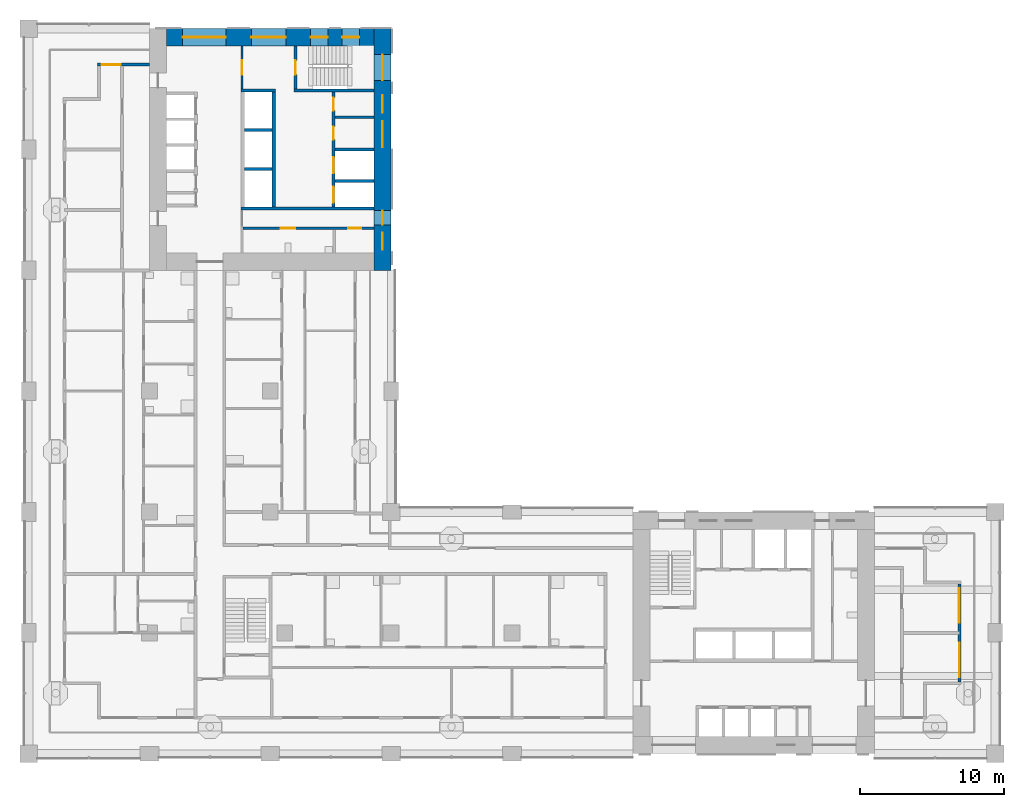
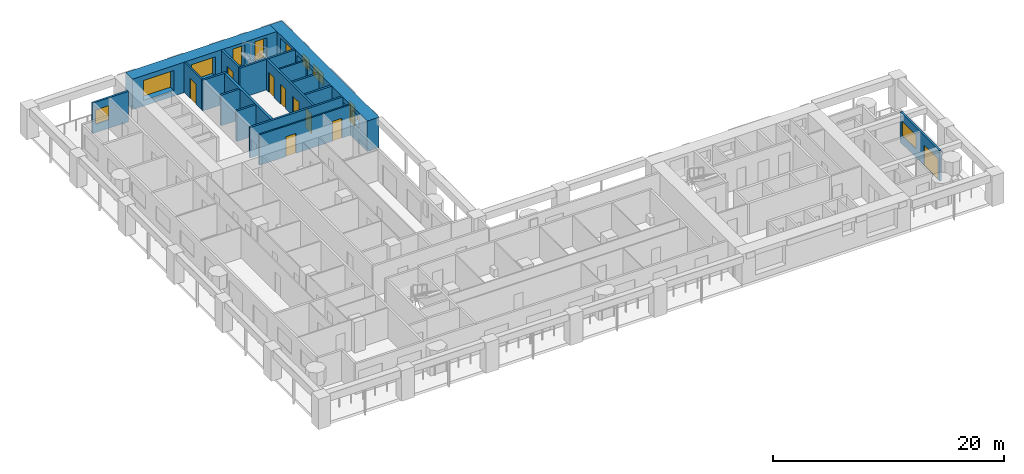
# One storey, part 7 of 18: 17 walls, 11 windows, 9 doors, 20 openings.
"""IFC4 building model written with IfcOpenShell, lengths in metres."""

from ifc_helpers import new_model, si_unit, direction, frame, frame_2d, origin, place, context, subcontext, project, spatial, rectangle, extrude, material, layer, layer_set, type_object, element, fill, save


model = new_model("IFC4")

# Units and contexts
model_context = context("Model", 3, precision=1e-05, world=origin(), true_north=direction((0.0, 1.0)))
body_context = subcontext(model_context, "Body", "Model", "MODEL_VIEW")
ifc_project = project(units=[si_unit("LENGTHUNIT", "METRE"), si_unit("AREAUNIT", "SQUARE_METRE"), si_unit("VOLUMEUNIT", "CUBIC_METRE"), si_unit("PLANEANGLEUNIT", "RADIAN"), si_unit("MASSUNIT", "GRAM", prefix="KILO")], contexts=[model_context])

# Site, building, storey
site_placement = place(None, origin())
site = spatial("IfcSite", under=ifc_project, at=site_placement, CompositionType="ELEMENT")
building_placement = place(site_placement, origin())
building = spatial("IfcBuilding", under=site, at=building_placement, Name="Vermilion Gate Residences", CompositionType="ELEMENT")
storey_placement = place(building_placement, frame((0.0, 0.0, 133.699951171875)))
storey = spatial("IfcBuildingStorey", under=building, at=storey_placement, Name="L34", CompositionType="ELEMENT", Elevation=133.699951171875)

# Wall
ifc_material_1 = material(Name="Masonry blockwork", Category="masonry")
ifc_layer_1 = layer(ifc_material_1, 0.14990234375)
ifc_layer_set_1 = layer_set([ifc_layer_1], Name="BLOCKWORK PARTITION 150 EI 120")
wall_type_1 = type_object("IfcWallType", Name="BLOCKWORK PARTITION 150 EI 120", PredefinedType="PARTITIONING", material=ifc_layer_set_1)
wall_1_placement = place(storey_placement, frame((21.300048828125, 52.637451171875, 0.0), z_axis=(0.0, 0.0, 1.0), x_axis=(1.0, 0.0, 0.0)))
element("IfcWall", 1, at=wall_1_placement, inside=storey, type_object=wall_type_1, Name="Core room partition B34-NR-P0", PredefinedType="PARTITIONING", context=body_context, shape_type="SweptSolid", body=[
    extrude(rectangle(XDim=2.699951171875, YDim=0.14990234375, at=frame_2d((1.35009765625, 0.0))), origin(), (0.0, 0.0, 1.0), 3.219970703125),
])

# Wall, opening, door
wall_2_placement = place(storey_placement, frame((14.824951171875, 57.60009765625, 0.0), z_axis=(0.0, 0.0, 1.0), x_axis=(0.0, -1.0, 0.0)))
wall_2 = element("IfcWall", 2, at=wall_2_placement, inside=storey, type_object=wall_type_1, Name="Core room partition B34-VW-S", PredefinedType="PARTITIONING", context=body_context, shape_type="SweptSolid", body=[
    extrude(rectangle(XDim=3.0, YDim=0.14990234375, at=frame_2d((1.5, 0.0))), origin(), (0.0, 0.0, 1.0), 3.219970703125),
])
opening_1_placement = place(wall_2_placement, frame((1.0, 0.0, 0.0)))
opening_1 = element("IfcOpeningElement", 3, at=opening_1_placement, cuts=wall_2, Name="Opening DK34113", PredefinedType="OPENING", context=body_context, shape_type="SweptSolid", body=[
    extrude(rectangle(XDim=1.0, YDim=2.10009765625, at=frame_2d((0.5, 1.050048828125))), frame((0.0, 0.0849609375, 0.0), z_axis=(0.0, -1.0, 0.0), x_axis=(1.0, 0.0, 0.0)), (0.0, 0.0, 1.0), 0.169921875),
])
ifc_material_2 = material(Name="Steel", Category="steel")
door_type_1 = type_object("IfcDoorType", Name="FIRE DOOR FD60 1000 X 2100", OperationType="SINGLE_SWING_LEFT", PredefinedType="DOOR", material=ifc_material_2)
door_1_placement = place(opening_1_placement, frame((1.0, 0.0, 0.0), z_axis=(0.0, 0.0, 1.0), x_axis=(-1.0, 0.0, 0.0)))
door_1 = element("IfcDoor", 4, at=door_1_placement, inside=storey, type_object=door_type_1, Name="Stair vestibule door B34", OperationType="SINGLE_SWING_RIGHT", OverallHeight=2.10009765625, OverallWidth=1.0, PredefinedType="DOOR", context=body_context, shape_type="SweptSolid", body=[
    extrude(rectangle(XDim=1.0, YDim=2.10009765625, at=frame_2d((0.5, 1.050048828125))), frame((0.0, 0.02490234375, 0.0), z_axis=(0.0, -1.0, 0.0), x_axis=(1.0, 0.0, 0.0)), (0.0, 0.0, 1.0), 0.050048828125),
])
fill(opening_1, door_1)

# Wall, openings, doors
wall_3_placement = place(storey_placement, frame((14.89990234375, 44.925048828125, 0.0), z_axis=(0.0, 0.0, 1.0), x_axis=(1.0, 0.0, 0.0)))
wall_3 = element("IfcWall", 5, at=wall_3_placement, inside=storey, type_object=wall_type_1, Name="Core room partition B34-ES-W", PredefinedType="PARTITIONING", context=body_context, shape_type="SweptSolid", body=[
    extrude(rectangle(XDim=9.10009765625, YDim=0.14990234375, at=frame_2d((4.550048828125, 0.0))), origin(), (0.0, 0.0, 1.0), 3.219970703125),
])
opening_2_placement = place(wall_3_placement, frame((2.632568359375, 0.0, 0.0)))
opening_2 = element("IfcOpeningElement", 6, at=opening_2_placement, cuts=wall_3, Name="Opening DK34116", PredefinedType="OPENING", context=body_context, shape_type="SweptSolid", body=[
    extrude(rectangle(XDim=1.0, YDim=2.10009765625, at=frame_2d((0.5, 1.050048828125))), frame((0.0, 0.0849609375, 0.0), z_axis=(0.0, -1.0, 0.0), x_axis=(1.0, 0.0, 0.0)), (0.0, 0.0, 1.0), 0.169921875),
])
opening_3_placement = place(wall_3_placement, frame((7.3076171875, 0.0, 0.0)))
opening_3 = element("IfcOpeningElement", 7, at=opening_3_placement, cuts=wall_3, Name="Opening DK34117", PredefinedType="OPENING", context=body_context, shape_type="SweptSolid", body=[
    extrude(rectangle(XDim=0.89990234375, YDim=2.10009765625, at=frame_2d((0.449951171875, 1.050048828125))), frame((0.0, 0.0849609375, 0.0), z_axis=(0.0, -1.0, 0.0), x_axis=(1.0, 0.0, 0.0)), (0.0, 0.0, 1.0), 0.169921875),
])
door_2_placement = place(opening_2_placement, frame((1.0, 0.0, 0.0), z_axis=(0.0, 0.0, 1.0), x_axis=(-1.0, 0.0, 0.0)))
door_2 = element("IfcDoor", 8, at=door_2_placement, inside=storey, type_object=door_type_1, Name="Accessible WC B34", OperationType="SINGLE_SWING_RIGHT", OverallHeight=2.10009765625, OverallWidth=1.0, PredefinedType="DOOR", context=body_context, shape_type="SweptSolid", body=[
    extrude(rectangle(XDim=1.0, YDim=2.10009765625, at=frame_2d((0.5, 1.050048828125))), frame((0.0, 0.02490234375, 0.0), z_axis=(0.0, -1.0, 0.0), x_axis=(1.0, 0.0, 0.0)), (0.0, 0.0, 1.0), 0.050048828125),
])
fill(opening_2, door_2)
ifc_material_3 = material(Name="Steel", Category="steel")
door_type_2 = type_object("IfcDoorType", Name="SERVICE ROOM DOOR FD60 900 X 2100", OperationType="SINGLE_SWING_LEFT", PredefinedType="DOOR", material=ifc_material_3)
door_3_placement = place(opening_3_placement, frame((0.89990234375, 0.0, 0.0), z_axis=(0.0, 0.0, 1.0), x_axis=(-1.0, 0.0, 0.0)))
door_3 = element("IfcDoor", 9, at=door_3_placement, inside=storey, type_object=door_type_2, Name="Communications room B34", OperationType="SINGLE_SWING_LEFT", OverallHeight=2.10009765625, OverallWidth=0.89990234375, PredefinedType="DOOR", context=body_context, shape_type="SweptSolid", body=[
    extrude(rectangle(XDim=0.89990234375, YDim=2.10009765625, at=frame_2d((0.449951171875, 1.050048828125))), frame((0.0, 0.02490234375, 0.0), z_axis=(0.0, -1.0, 0.0), x_axis=(1.0, 0.0, 0.0)), (0.0, 0.0, 1.0), 0.050048828125),
])
fill(opening_3, door_3)

# Wall, opening, window
ifc_material_4 = material(Name="Insulated steel stud wall with terracotta rainscreen", Category="masonry")
ifc_layer_2 = layer(ifc_material_4, 0.199951171875)
ifc_layer_set_2 = layer_set([ifc_layer_2], Name="EXTERNAL WALL 200 TERRACOTTA RAINSCREEN")
wall_type_2 = type_object("IfcWallType", Name="EXTERNAL WALL 200 TERRACOTTA RAINSCREEN", PredefinedType="SOLIDWALL", material=ifc_layer_set_2)
wall_4_placement = place(storey_placement, frame((8.39990234375, 56.300048828125, 0.0), z_axis=(0.0, 0.0, 1.0), x_axis=(-1.0, 0.0, 0.0)))
wall_4 = element("IfcWall", 10, at=wall_4_placement, inside=storey, type_object=wall_type_2, Name="External wall", PredefinedType="SOLIDWALL", context=body_context, shape_type="SweptSolid", body=[
    extrude(rectangle(XDim=3.599853515625, YDim=0.199951171875, at=frame_2d((1.7998046875, 0.0))), origin(), (0.0, 0.0, 1.0), 3.219970703125),
])
opening_4_placement = place(wall_4_placement, frame((2.0, 0.0, 0.89990234375)))
opening_4 = element("IfcOpeningElement", 11, at=opening_4_placement, cuts=wall_4, Name="Opening WE34001", PredefinedType="OPENING", context=body_context, shape_type="SweptSolid", body=[
    extrude(rectangle(XDim=1.300048828125, YDim=1.5, at=frame_2d((0.64990234375, 0.75))), frame((0.0, 0.10986328125, 0.0), z_axis=(0.0, -1.0, 0.0), x_axis=(1.0, 0.0, 0.0)), (0.0, 0.0, 1.0), 0.219970703125),
])
ifc_material_5 = material(Name="Aluminium and clear glass", Category="aluminium")
window_type_1 = type_object("IfcWindowType", Name="WINDOW 1300 X 1500", PartitioningType="SINGLE_PANEL", PredefinedType="WINDOW", material=ifc_material_5)
window_1_placement = place(opening_4_placement, origin())
window_1 = element("IfcWindow", 12, at=window_1_placement, inside=storey, type_object=window_type_1, Name="Window", OverallHeight=1.5, OverallWidth=1.300048828125, PartitioningType="SINGLE_PANEL", PredefinedType="WINDOW", context=body_context, shape_type="SweptSolid", body=[
    extrude(rectangle(XDim=1.300048828125, YDim=1.5, at=frame_2d((0.64990234375, 0.75))), frame((0.0, 0.030029296875, 0.0), z_axis=(0.0, -1.0, 0.0), x_axis=(1.0, 0.0, 0.0)), (0.0, 0.0, 1.0), 0.06005859375),
])
fill(opening_4, window_1)

# Wall, openings, door, window
wall_5_placement = place(storey_placement, frame((64.699951171875, 13.39990234375, 0.0), z_axis=(0.0, 0.0, 1.0), x_axis=(0.0, 1.0, 0.0)))
wall_5 = element("IfcWall", 13, at=wall_5_placement, inside=storey, type_object=wall_type_2, Name="External wall", PredefinedType="SOLIDWALL", context=body_context, shape_type="SweptSolid", body=[
    extrude(rectangle(XDim=6.800048828125, YDim=0.199951171875, at=frame_2d((3.39990234375, 0.0))), origin(), (0.0, 0.0, 1.0), 3.219970703125),
])
opening_5_placement = place(wall_5_placement, frame((4.10009765625, 0.0, 0.89990234375)))
opening_5 = element("IfcOpeningElement", 14, at=opening_5_placement, cuts=wall_5, Name="Opening WE34022", PredefinedType="OPENING", context=body_context, shape_type="SweptSolid", body=[
    extrude(rectangle(XDim=2.39990234375, YDim=1.5, at=frame_2d((1.199951171875, 0.75))), frame((0.0, 0.10986328125, 0.0), z_axis=(0.0, -1.0, 0.0), x_axis=(1.0, 0.0, 0.0)), (0.0, 0.0, 1.0), 0.219970703125),
])
opening_6_placement = place(wall_5_placement, frame((0.300048828125, 0.0, 0.0)))
opening_6 = element("IfcOpeningElement", 15, at=opening_6_placement, cuts=wall_5, Name="Opening DE34028", PredefinedType="OPENING", context=body_context, shape_type="SweptSolid", body=[
    extrude(rectangle(XDim=2.39990234375, YDim=2.199951171875, at=frame_2d((1.199951171875, 1.10009765625))), frame((0.0, 0.10986328125, 0.0), z_axis=(0.0, -1.0, 0.0), x_axis=(1.0, 0.0, 0.0)), (0.0, 0.0, 1.0), 0.219970703125),
])
ifc_material_6 = material(Name="Aluminium and clear glass", Category="aluminium")
door_type_3 = type_object("IfcDoorType", Name="SLIDING GLAZED DOOR 2400 X 2200", OperationType="DOUBLE_DOOR_SLIDING", PredefinedType="DOOR", material=ifc_material_6)
door_4_placement = place(opening_6_placement, origin())
door_4 = element("IfcDoor", 16, at=door_4_placement, inside=storey, type_object=door_type_3, Name="Loggia sliding door", OperationType="DOUBLE_DOOR_SLIDING", OverallHeight=2.199951171875, OverallWidth=2.39990234375, PredefinedType="DOOR", context=body_context, shape_type="SweptSolid", body=[
    extrude(rectangle(XDim=2.39990234375, YDim=2.199951171875, at=frame_2d((1.199951171875, 1.10009765625))), frame((0.0, 0.02490234375, 0.0), z_axis=(0.0, -1.0, 0.0), x_axis=(1.0, 0.0, 0.0)), (0.0, 0.0, 1.0), 0.050048828125),
])
fill(opening_6, door_4)
ifc_material_7 = material(Name="Aluminium and clear glass", Category="aluminium")
window_type_2 = type_object("IfcWindowType", Name="WINDOW 2400 X 1500", PartitioningType="SINGLE_PANEL", PredefinedType="WINDOW", material=ifc_material_7)
window_2_placement = place(opening_5_placement, origin())
window_2 = element("IfcWindow", 17, at=window_2_placement, inside=storey, type_object=window_type_2, Name="Window", OverallHeight=1.5, OverallWidth=2.39990234375, PartitioningType="SINGLE_PANEL", PredefinedType="WINDOW", context=body_context, shape_type="SweptSolid", body=[
    extrude(rectangle(XDim=2.39990234375, YDim=1.5, at=frame_2d((1.199951171875, 0.75))), frame((0.0, 0.030029296875, 0.0), z_axis=(0.0, -1.0, 0.0), x_axis=(1.0, 0.0, 0.0)), (0.0, 0.0, 1.0), 0.06005859375),
])
fill(opening_5, window_2)

# Walls
ifc_material_8 = material(Name="Concrete C60", Category="concrete")
ifc_layer_3 = layer(ifc_material_8, 0.199951171875)
ifc_layer_set_3 = layer_set([ifc_layer_3], Name="RC CORE INTERNAL WALL 200 C60")
wall_type_3 = type_object("IfcWallType", Name="RC CORE INTERNAL WALL 200 C60", PredefinedType="SHEAR", material=ifc_layer_set_3)
for number, where, z_axis, x_axis, name in (
    (18, (15.0, 51.7666015625, 0.0), (0.0, 0.0, 1.0), (1.0, 0.0, 0.0), "Core internal wall B34-HR-D1"),
    (19, (15.0, 49.033447265625, 0.0), (0.0, 0.0, 1.0), (1.0, 0.0, 0.0), "Core internal wall B34-HR-D2"),
):
    element("IfcWall", number, at=place(storey_placement, frame(where, z_axis=z_axis, x_axis=x_axis)), inside=storey, type_object=wall_type_3, Name=name, PredefinedType="SHEAR", context=body_context, shape_type="SweptSolid", body=[
        extrude(rectangle(XDim=1.89990234375, YDim=0.199951171875, at=frame_2d((0.949951171875, 0.0))), origin(), (0.0, 0.0, 1.0), 3.219970703125),
    ])
for number, where, z_axis, x_axis, name in (
    (20, (21.300048828125, 50.39990234375, 0.0), (0.0, 0.0, 1.0), (1.0, 0.0, 0.0), "Core internal wall B34-FF-D0"),
    (21, (21.300048828125, 48.199951171875, 0.0), (0.0, 0.0, 1.0), (1.0, 0.0, 0.0), "Core internal wall B34-FF-D1"),
):
    element("IfcWall", number, at=place(storey_placement, frame(where, z_axis=z_axis, x_axis=x_axis)), inside=storey, type_object=wall_type_3, Name=name, PredefinedType="SHEAR", context=body_context, shape_type="SweptSolid", body=[
        extrude(rectangle(XDim=2.699951171875, YDim=0.199951171875, at=frame_2d((1.35009765625, 0.0))), origin(), (0.0, 0.0, 1.0), 3.219970703125),
    ])

# Wall, openings, doors
wall_6_placement = place(storey_placement, frame((21.199951171875, 54.39990234375, 0.0), z_axis=(0.0, 0.0, 1.0), x_axis=(0.0, -1.0, 0.0)))
wall_6 = element("IfcWall", 22, at=wall_6_placement, inside=storey, type_object=wall_type_3, Name="Core internal wall B34-FF-F", PredefinedType="SHEAR", context=body_context, shape_type="SweptSolid", body=[
    extrude(rectangle(XDim=8.0, YDim=0.199951171875, at=frame_2d((4.0, 0.0))), origin(), (0.0, 0.0, 1.0), 3.219970703125),
])
opening_7_placement = place(wall_6_placement, frame((0.393798828125, 0.0, 0.0)))
opening_7 = element("IfcOpeningElement", 23, at=opening_7_placement, cuts=wall_6, Name="Opening DK34109", PredefinedType="OPENING", context=body_context, shape_type="SweptSolid", body=[
    extrude(rectangle(XDim=0.89990234375, YDim=2.10009765625, at=frame_2d((0.449951171875, 1.050048828125))), frame((0.0, 0.10986328125, 0.0), z_axis=(0.0, -1.0, 0.0), x_axis=(1.0, 0.0, 0.0)), (0.0, 0.0, 1.0), 0.219970703125),
])
opening_8_placement = place(wall_6_placement, frame((2.418701171875, 0.0, 0.0)))
opening_8 = element("IfcOpeningElement", 24, at=opening_8_placement, cuts=wall_6, Name="Opening DK34110", PredefinedType="OPENING", context=body_context, shape_type="SweptSolid", body=[
    extrude(rectangle(XDim=0.89990234375, YDim=2.10009765625, at=frame_2d((0.449951171875, 1.050048828125))), frame((0.0, 0.10986328125, 0.0), z_axis=(0.0, -1.0, 0.0), x_axis=(1.0, 0.0, 0.0)), (0.0, 0.0, 1.0), 0.219970703125),
])
opening_9_placement = place(wall_6_placement, frame((4.550048828125, 0.0, 0.0)))
opening_9 = element("IfcOpeningElement", 25, at=opening_9_placement, cuts=wall_6, Name="Opening LD", PredefinedType="OPENING", context=body_context, shape_type="SweptSolid", body=[
    extrude(rectangle(XDim=1.10009765625, YDim=2.10009765625, at=frame_2d((0.550048828125, 1.050048828125))), frame((0.0, 0.10986328125, 0.0), z_axis=(0.0, -1.0, 0.0), x_axis=(1.0, 0.0, 0.0)), (0.0, 0.0, 1.0), 0.219970703125),
])
opening_10_placement = place(wall_6_placement, frame((6.60009765625, 0.0, 0.0)))
opening_10 = element("IfcOpeningElement", 26, at=opening_10_placement, cuts=wall_6, Name="Opening LD", PredefinedType="OPENING", context=body_context, shape_type="SweptSolid", body=[
    extrude(rectangle(XDim=1.10009765625, YDim=2.10009765625, at=frame_2d((0.550048828125, 1.050048828125))), frame((0.0, 0.10986328125, 0.0), z_axis=(0.0, -1.0, 0.0), x_axis=(1.0, 0.0, 0.0)), (0.0, 0.0, 1.0), 0.219970703125),
])
ifc_material_9 = material(Name="Stainless steel", Category="steel")
door_type_4 = type_object("IfcDoorType", Name="LIFT LANDING DOOR E60 1100 X 2100", OperationType="DOUBLE_DOOR_SLIDING", PredefinedType="DOOR", material=ifc_material_9)
door_5_placement = place(opening_9_placement, origin())
door_5 = element("IfcDoor", 27, at=door_5_placement, inside=storey, type_object=door_type_4, Name="Lift landing door LFB1", OperationType="DOUBLE_DOOR_SLIDING", OverallHeight=2.10009765625, OverallWidth=1.10009765625, PredefinedType="DOOR", context=body_context, shape_type="SweptSolid", body=[
    extrude(rectangle(XDim=1.10009765625, YDim=2.10009765625, at=frame_2d((0.550048828125, 1.050048828125))), frame((0.0, 0.02490234375, 0.0), z_axis=(0.0, -1.0, 0.0), x_axis=(1.0, 0.0, 0.0)), (0.0, 0.0, 1.0), 0.050048828125),
])
fill(opening_9, door_5)
door_6_placement = place(opening_10_placement, origin())
door_6 = element("IfcDoor", 28, at=door_6_placement, inside=storey, type_object=door_type_4, Name="Lift landing door LCB1", OperationType="DOUBLE_DOOR_SLIDING", OverallHeight=2.10009765625, OverallWidth=1.10009765625, PredefinedType="DOOR", context=body_context, shape_type="SweptSolid", body=[
    extrude(rectangle(XDim=1.10009765625, YDim=2.10009765625, at=frame_2d((0.550048828125, 1.050048828125))), frame((0.0, 0.02490234375, 0.0), z_axis=(0.0, -1.0, 0.0), x_axis=(1.0, 0.0, 0.0)), (0.0, 0.0, 1.0), 0.050048828125),
])
fill(opening_10, door_6)
door_7_placement = place(opening_7_placement, origin())
door_7 = element("IfcDoor", 29, at=door_7_placement, inside=storey, type_object=door_type_2, Name="Housekeeping store B34", OperationType="SINGLE_SWING_RIGHT", OverallHeight=2.10009765625, OverallWidth=0.89990234375, PredefinedType="DOOR", context=body_context, shape_type="SweptSolid", body=[
    extrude(rectangle(XDim=0.89990234375, YDim=2.10009765625, at=frame_2d((0.449951171875, 1.050048828125))), frame((0.0, 0.02490234375, 0.0), z_axis=(0.0, -1.0, 0.0), x_axis=(1.0, 0.0, 0.0)), (0.0, 0.0, 1.0), 0.050048828125),
])
fill(opening_7, door_7)
door_8_placement = place(opening_8_placement, origin())
door_8 = element("IfcDoor", 30, at=door_8_placement, inside=storey, type_object=door_type_2, Name="Mail room B34", OperationType="SINGLE_SWING_RIGHT", OverallHeight=2.10009765625, OverallWidth=0.89990234375, PredefinedType="DOOR", context=body_context, shape_type="SweptSolid", body=[
    extrude(rectangle(XDim=0.89990234375, YDim=2.10009765625, at=frame_2d((0.449951171875, 1.050048828125))), frame((0.0, 0.02490234375, 0.0), z_axis=(0.0, -1.0, 0.0), x_axis=(1.0, 0.0, 0.0)), (0.0, 0.0, 1.0), 0.050048828125),
])
fill(opening_8, door_8)

# Walls
wall_7_placement = place(storey_placement, frame((14.75, 54.5, 0.0), z_axis=(0.0, 0.0, 1.0), x_axis=(1.0, 0.0, 0.0)))
element("IfcWall", 31, at=wall_7_placement, inside=storey, type_object=wall_type_3, Name="Core internal wall B34-WDIV1", PredefinedType="SHEAR", context=body_context, shape_type="SweptSolid", body=[
    extrude(rectangle(XDim=2.39990234375, YDim=0.199951171875, at=frame_2d((1.199951171875, 0.0))), origin(), (0.0, 0.0, 1.0), 3.219970703125),
])
wall_8_placement = place(storey_placement, frame((18.449951171875, 54.5, 0.0), z_axis=(0.0, 0.0, 1.0), x_axis=(1.0, 0.0, 0.0)))
element("IfcWall", 32, at=wall_8_placement, inside=storey, type_object=wall_type_3, Name="Core internal wall B34-WDIV2", PredefinedType="SHEAR", context=body_context, shape_type="SweptSolid", body=[
    extrude(rectangle(XDim=5.550048828125, YDim=0.199951171875, at=frame_2d((2.77490234375, 0.0))), origin(), (0.0, 0.0, 1.0), 3.219970703125),
])

# Wall, opening, door
wall_9_placement = place(storey_placement, frame((18.550048828125, 57.60009765625, 0.0), z_axis=(0.0, 0.0, 1.0), x_axis=(0.0, -1.0, 0.0)))
wall_9 = element("IfcWall", 33, at=wall_9_placement, inside=storey, type_object=wall_type_3, Name="Core internal wall B34-STW-S", PredefinedType="SHEAR", context=body_context, shape_type="SweptSolid", body=[
    extrude(rectangle(XDim=3.0, YDim=0.199951171875, at=frame_2d((1.5, 0.0))), origin(), (0.0, 0.0, 1.0), 3.219970703125),
])
opening_11_placement = place(wall_9_placement, frame((1.0, 0.0, 0.0)))
opening_11 = element("IfcOpeningElement", 34, at=opening_11_placement, cuts=wall_9, Name="Opening DK34114", PredefinedType="OPENING", context=body_context, shape_type="SweptSolid", body=[
    extrude(rectangle(XDim=1.0, YDim=2.10009765625, at=frame_2d((0.5, 1.050048828125))), frame((0.0, 0.10986328125, 0.0), z_axis=(0.0, -1.0, 0.0), x_axis=(1.0, 0.0, 0.0)), (0.0, 0.0, 1.0), 0.219970703125),
])
door_9_placement = place(opening_11_placement, origin())
door_9 = element("IfcDoor", 35, at=door_9_placement, inside=storey, type_object=door_type_1, Name="Stair door B34", OperationType="SINGLE_SWING_LEFT", OverallHeight=2.10009765625, OverallWidth=1.0, PredefinedType="DOOR", context=body_context, shape_type="SweptSolid", body=[
    extrude(rectangle(XDim=1.0, YDim=2.10009765625, at=frame_2d((0.5, 1.050048828125))), frame((0.0, 0.02490234375, 0.0), z_axis=(0.0, -1.0, 0.0), x_axis=(1.0, 0.0, 0.0)), (0.0, 0.0, 1.0), 0.050048828125),
])
fill(opening_11, door_9)

# Wall
wall_10_placement = place(storey_placement, frame((14.75, 46.300048828125, 0.0), z_axis=(0.0, 0.0, 1.0), x_axis=(1.0, 0.0, 0.0)))
element("IfcWall", 36, at=wall_10_placement, inside=storey, type_object=wall_type_3, Name="Core internal wall B34-EDIV", PredefinedType="SHEAR", context=body_context, shape_type="SweptSolid", body=[
    extrude(rectangle(XDim=9.25, YDim=0.199951171875, at=frame_2d((4.625, 0.0))), origin(), (0.0, 0.0, 1.0), 3.219970703125),
])

# Wall, openings, windows
ifc_material_10 = material(Name="Concrete C70 red-oxide pigmented", Category="concrete")
ifc_layer_4 = layer(ifc_material_10, 1.199951171875)
ifc_layer_set_4 = layer_set([ifc_layer_4], Name="RC CORE WALL 1200 C70 RED OXIDE")
wall_type_4 = type_object("IfcWallType", Name="RC CORE WALL 1200 C70 RED OXIDE", PredefinedType="SHEAR", material=ifc_layer_set_4)
wall_11_placement = place(storey_placement, frame((24.60009765625, 58.800048828125, 0.0), z_axis=(0.0, 0.0, 1.0), x_axis=(0.0, -1.0, 0.0)))
wall_11 = element("IfcWall", 37, at=wall_11_placement, inside=storey, type_object=wall_type_4, Name="Core wall B34-OUT-B1", PredefinedType="SHEAR", context=body_context, shape_type="SweptSolid", body=[
    extrude(rectangle(XDim=16.800048828125, YDim=1.199951171875, at=frame_2d((8.39990234375, 0.0))), origin(), (0.0, 0.0, 1.0), 3.219970703125),
])
opening_12_placement = place(wall_11_placement, frame((1.800048828125, 0.0, 0.5)))
opening_12 = element("IfcOpeningElement", 38, at=opening_12_placement, cuts=wall_11, Name="Opening WKB3401", PredefinedType="OPENING", context=body_context, shape_type="SweptSolid", body=[
    extrude(rectangle(XDim=1.800048828125, YDim=2.39990234375, at=frame_2d((0.89990234375, 1.199951171875))), frame((0.0, 0.60986328125, 0.0), z_axis=(0.0, -1.0, 0.0), x_axis=(1.0, 0.0, 0.0)), (0.0, 0.0, 1.0), 1.219970703125),
])
opening_13_placement = place(wall_11_placement, frame((4.643798828125, 0.0, 1.60009765625)))
opening_13 = element("IfcOpeningElement", 39, at=opening_13_placement, cuts=wall_11, Name="Opening WKB3402", PredefinedType="OPENING", context=body_context, shape_type="SweptSolid", body=[
    extrude(rectangle(XDim=1.199951171875, YDim=1.199951171875, at=frame_2d((0.60009765625, 0.60009765625))), frame((0.0, 0.60986328125, 0.0), z_axis=(0.0, -1.0, 0.0), x_axis=(1.0, 0.0, 0.0)), (0.0, 0.0, 1.0), 1.219970703125),
])
opening_14_placement = place(wall_11_placement, frame((6.449951171875, 0.0, 1.60009765625)))
opening_14 = element("IfcOpeningElement", 40, at=opening_14_placement, cuts=wall_11, Name="Opening WKB3403", PredefinedType="OPENING", context=body_context, shape_type="SweptSolid", body=[
    extrude(rectangle(XDim=1.800048828125, YDim=1.199951171875, at=frame_2d((0.89990234375, 0.60009765625))), frame((0.0, 0.60986328125, 0.0), z_axis=(0.0, -1.0, 0.0), x_axis=(1.0, 0.0, 0.0)), (0.0, 0.0, 1.0), 1.219970703125),
])
opening_15_placement = place(wall_11_placement, frame((12.64990234375, 0.0, 0.60009765625)))
opening_15 = element("IfcOpeningElement", 41, at=opening_15_placement, cuts=wall_11, Name="Opening WKB3404", PredefinedType="OPENING", context=body_context, shape_type="SweptSolid", body=[
    extrude(rectangle(XDim=1.0, YDim=2.10009765625, at=frame_2d((0.5, 1.050048828125))), frame((0.0, 0.60986328125, 0.0), z_axis=(0.0, -1.0, 0.0), x_axis=(1.0, 0.0, 0.0)), (0.0, 0.0, 1.0), 1.219970703125),
])
opening_16_placement = place(wall_11_placement, frame((14.175048828125, 0.0, 1.60009765625)))
opening_16 = element("IfcOpeningElement", 42, at=opening_16_placement, cuts=wall_11, Name="Opening WKB3405", PredefinedType="OPENING", context=body_context, shape_type="SweptSolid", body=[
    extrude(rectangle(XDim=1.199951171875, YDim=1.199951171875, at=frame_2d((0.60009765625, 0.60009765625))), frame((0.0, 0.60986328125, 0.0), z_axis=(0.0, -1.0, 0.0), x_axis=(1.0, 0.0, 0.0)), (0.0, 0.0, 1.0), 1.219970703125),
])
ifc_material_11 = material(Name="Aluminium and clear glass", Category="aluminium")
window_type_3 = type_object("IfcWindowType", Name="CORE CORRIDOR WINDOW 1000 X 2100", PartitioningType="SINGLE_PANEL", PredefinedType="WINDOW", material=ifc_material_11)
window_3_placement = place(opening_15_placement, origin())
window_3 = element("IfcWindow", 43, at=window_3_placement, inside=storey, type_object=window_type_3, Name="Core corridor window", OverallHeight=2.10009765625, OverallWidth=1.0, PartitioningType="SINGLE_PANEL", PredefinedType="WINDOW", context=body_context, shape_type="SweptSolid", body=[
    extrude(rectangle(XDim=1.0, YDim=2.10009765625, at=frame_2d((0.5, 1.050048828125))), frame((0.0, 0.030029296875, 0.0), z_axis=(0.0, -1.0, 0.0), x_axis=(1.0, 0.0, 0.0)), (0.0, 0.0, 1.0), 0.06005859375),
])
fill(opening_15, window_3)
ifc_material_12 = material(Name="Aluminium frame with louvre blades", Category="aluminium")
window_type_4 = type_object("IfcWindowType", Name="CORE LOUVRE 1200 X 1200", PartitioningType="SINGLE_PANEL", PredefinedType="WINDOW", material=ifc_material_12)
window_4_placement = place(opening_13_placement, origin())
window_4 = element("IfcWindow", 44, at=window_4_placement, inside=storey, type_object=window_type_4, Name="Core louvre", OverallHeight=1.199951171875, OverallWidth=1.199951171875, PartitioningType="SINGLE_PANEL", PredefinedType="WINDOW", context=body_context, shape_type="SweptSolid", body=[
    extrude(rectangle(XDim=1.199951171875, YDim=1.199951171875, at=frame_2d((0.60009765625, 0.60009765625))), frame((0.0, 0.030029296875, 0.0), z_axis=(0.0, -1.0, 0.0), x_axis=(1.0, 0.0, 0.0)), (0.0, 0.0, 1.0), 0.06005859375),
])
fill(opening_13, window_4)
window_5_placement = place(opening_16_placement, origin())
window_5 = element("IfcWindow", 45, at=window_5_placement, inside=storey, type_object=window_type_4, Name="Core louvre", OverallHeight=1.199951171875, OverallWidth=1.199951171875, PartitioningType="SINGLE_PANEL", PredefinedType="WINDOW", context=body_context, shape_type="SweptSolid", body=[
    extrude(rectangle(XDim=1.199951171875, YDim=1.199951171875, at=frame_2d((0.60009765625, 0.60009765625))), frame((0.0, 0.030029296875, 0.0), z_axis=(0.0, -1.0, 0.0), x_axis=(1.0, 0.0, 0.0)), (0.0, 0.0, 1.0), 0.06005859375),
])
fill(opening_16, window_5)
ifc_material_13 = material(Name="Aluminium frame with louvre blades", Category="aluminium")
window_type_5 = type_object("IfcWindowType", Name="CORE LOUVRE 1800 X 1200", PartitioningType="SINGLE_PANEL", PredefinedType="WINDOW", material=ifc_material_13)
window_6_placement = place(opening_14_placement, origin())
window_6 = element("IfcWindow", 46, at=window_6_placement, inside=storey, type_object=window_type_5, Name="Core louvre", OverallHeight=1.199951171875, OverallWidth=1.800048828125, PartitioningType="SINGLE_PANEL", PredefinedType="WINDOW", context=body_context, shape_type="SweptSolid", body=[
    extrude(rectangle(XDim=1.800048828125, YDim=1.199951171875, at=frame_2d((0.89990234375, 0.60009765625))), frame((0.0, 0.030029296875, 0.0), z_axis=(0.0, -1.0, 0.0), x_axis=(1.0, 0.0, 0.0)), (0.0, 0.0, 1.0), 0.06005859375),
])
fill(opening_14, window_6)
ifc_material_14 = material(Name="Aluminium and clear glass", Category="aluminium")
window_type_6 = type_object("IfcWindowType", Name="CORE STAIR WINDOW 1800 X 2400", PartitioningType="SINGLE_PANEL", PredefinedType="WINDOW", material=ifc_material_14)
window_7_placement = place(opening_12_placement, origin())
window_7 = element("IfcWindow", 47, at=window_7_placement, inside=storey, type_object=window_type_6, Name="Core stair window", OverallHeight=2.39990234375, OverallWidth=1.800048828125, PartitioningType="SINGLE_PANEL", PredefinedType="WINDOW", context=body_context, shape_type="SweptSolid", body=[
    extrude(rectangle(XDim=1.800048828125, YDim=2.39990234375, at=frame_2d((0.89990234375, 1.199951171875))), frame((0.0, 0.030029296875, 0.0), z_axis=(0.0, -1.0, 0.0), x_axis=(1.0, 0.0, 0.0)), (0.0, 0.0, 1.0), 0.06005859375),
])
fill(opening_12, window_7)

wall_12_placement = place(storey_placement, frame((9.60009765625, 58.199951171875, 0.0), z_axis=(0.0, 0.0, 1.0), x_axis=(1.0, 0.0, 0.0)))
wall_12 = element("IfcWall", 48, at=wall_12_placement, inside=storey, type_object=wall_type_4, Name="Core wall B34-OUT-FR", PredefinedType="SHEAR", context=body_context, shape_type="SweptSolid", body=[
    extrude(rectangle(XDim=14.39990234375, YDim=1.199951171875, at=frame_2d((7.199951171875, 0.0))), origin(), (0.0, 0.0, 1.0), 3.219970703125),
])
opening_17_placement = place(wall_12_placement, frame((1.10498046875, 0.0, 0.60009765625)))
opening_17 = element("IfcOpeningElement", 49, at=opening_17_placement, cuts=wall_12, Name="Opening WKB3406", PredefinedType="OPENING", context=body_context, shape_type="SweptSolid", body=[
    extrude(rectangle(XDim=3.0, YDim=2.10009765625, at=frame_2d((1.5, 1.050048828125))), frame((0.0, 0.60986328125, 0.0), z_axis=(0.0, -1.0, 0.0), x_axis=(1.0, 0.0, 0.0)), (0.0, 0.0, 1.0), 1.219970703125),
])
opening_18_placement = place(wall_12_placement, frame((5.875, 0.0, 0.60009765625)))
opening_18 = element("IfcOpeningElement", 50, at=opening_18_placement, cuts=wall_12, Name="Opening WKB3407", PredefinedType="OPENING", context=body_context, shape_type="SweptSolid", body=[
    extrude(rectangle(XDim=2.39990234375, YDim=2.10009765625, at=frame_2d((1.199951171875, 1.050048828125))), frame((0.0, 0.60986328125, 0.0), z_axis=(0.0, -1.0, 0.0), x_axis=(1.0, 0.0, 0.0)), (0.0, 0.0, 1.0), 1.219970703125),
])
opening_19_placement = place(wall_12_placement, frame((9.993408203125, 0.0, 0.5)))
opening_19 = element("IfcOpeningElement", 51, at=opening_19_placement, cuts=wall_12, Name="Opening WKB3408", PredefinedType="OPENING", context=body_context, shape_type="SweptSolid", body=[
    extrude(rectangle(XDim=1.199951171875, YDim=2.39990234375, at=frame_2d((0.60009765625, 1.199951171875))), frame((0.0, 0.60986328125, 0.0), z_axis=(0.0, -1.0, 0.0), x_axis=(1.0, 0.0, 0.0)), (0.0, 0.0, 1.0), 1.219970703125),
])
opening_20_placement = place(wall_12_placement, frame((12.19677734375, 0.0, 0.5)))
opening_20 = element("IfcOpeningElement", 52, at=opening_20_placement, cuts=wall_12, Name="Opening WKB3409", PredefinedType="OPENING", context=body_context, shape_type="SweptSolid", body=[
    extrude(rectangle(XDim=1.199951171875, YDim=2.39990234375, at=frame_2d((0.60009765625, 1.199951171875))), frame((0.0, 0.60986328125, 0.0), z_axis=(0.0, -1.0, 0.0), x_axis=(1.0, 0.0, 0.0)), (0.0, 0.0, 1.0), 1.219970703125),
])
ifc_material_15 = material(Name="Aluminium and clear glass", Category="aluminium")
window_type_7 = type_object("IfcWindowType", Name="CORE LOBBY WINDOW 2400 X 2100", PartitioningType="SINGLE_PANEL", PredefinedType="WINDOW", material=ifc_material_15)
window_8_placement = place(opening_18_placement, origin())
window_8 = element("IfcWindow", 53, at=window_8_placement, inside=storey, type_object=window_type_7, Name="Core lobby window", OverallHeight=2.10009765625, OverallWidth=2.39990234375, PartitioningType="SINGLE_PANEL", PredefinedType="WINDOW", context=body_context, shape_type="SweptSolid", body=[
    extrude(rectangle(XDim=2.39990234375, YDim=2.10009765625, at=frame_2d((1.199951171875, 1.050048828125))), frame((0.0, 0.030029296875, 0.0), z_axis=(0.0, -1.0, 0.0), x_axis=(1.0, 0.0, 0.0)), (0.0, 0.0, 1.0), 0.06005859375),
])
fill(opening_18, window_8)
ifc_material_16 = material(Name="Aluminium and clear glass", Category="aluminium")
window_type_8 = type_object("IfcWindowType", Name="CORE LOBBY WINDOW 3000 X 2100", PartitioningType="SINGLE_PANEL", PredefinedType="WINDOW", material=ifc_material_16)
window_9_placement = place(opening_17_placement, origin())
window_9 = element("IfcWindow", 54, at=window_9_placement, inside=storey, type_object=window_type_8, Name="Core lobby window", OverallHeight=2.10009765625, OverallWidth=3.0, PartitioningType="SINGLE_PANEL", PredefinedType="WINDOW", context=body_context, shape_type="SweptSolid", body=[
    extrude(rectangle(XDim=3.0, YDim=2.10009765625, at=frame_2d((1.5, 1.050048828125))), frame((0.0, 0.030029296875, 0.0), z_axis=(0.0, -1.0, 0.0), x_axis=(1.0, 0.0, 0.0)), (0.0, 0.0, 1.0), 0.06005859375),
])
fill(opening_17, window_9)
ifc_material_17 = material(Name="Aluminium and clear glass", Category="aluminium")
window_type_9 = type_object("IfcWindowType", Name="CORE STAIR WINDOW 1200 X 2400", PartitioningType="SINGLE_PANEL", PredefinedType="WINDOW", material=ifc_material_17)
window_10_placement = place(opening_19_placement, origin())
window_10 = element("IfcWindow", 55, at=window_10_placement, inside=storey, type_object=window_type_9, Name="Core stair window", OverallHeight=2.39990234375, OverallWidth=1.199951171875, PartitioningType="SINGLE_PANEL", PredefinedType="WINDOW", context=body_context, shape_type="SweptSolid", body=[
    extrude(rectangle(XDim=1.199951171875, YDim=2.39990234375, at=frame_2d((0.60009765625, 1.199951171875))), frame((0.0, 0.030029296875, 0.0), z_axis=(0.0, -1.0, 0.0), x_axis=(1.0, 0.0, 0.0)), (0.0, 0.0, 1.0), 0.06005859375),
])
fill(opening_19, window_10)
window_11_placement = place(opening_20_placement, origin())
window_11 = element("IfcWindow", 56, at=window_11_placement, inside=storey, type_object=window_type_9, Name="Core stair window", OverallHeight=2.39990234375, OverallWidth=1.199951171875, PartitioningType="SINGLE_PANEL", PredefinedType="WINDOW", context=body_context, shape_type="SweptSolid", body=[
    extrude(rectangle(XDim=1.199951171875, YDim=2.39990234375, at=frame_2d((0.60009765625, 1.199951171875))), frame((0.0, 0.030029296875, 0.0), z_axis=(0.0, -1.0, 0.0), x_axis=(1.0, 0.0, 0.0)), (0.0, 0.0, 1.0), 0.06005859375),
])
fill(opening_20, window_11)

# Wall
ifc_material_18 = material(Name="Concrete C60", Category="concrete")
ifc_layer_5 = layer(ifc_material_18, 0.25)
ifc_layer_set_5 = layer_set([ifc_layer_5], Name="RC LIFT SHAFT WALL 250 C60")
wall_type_5 = type_object("IfcWallType", Name="RC LIFT SHAFT WALL 250 C60", PredefinedType="SHEAR", material=ifc_layer_set_5)
wall_13_placement = place(storey_placement, frame((17.02490234375, 54.39990234375, 0.0), z_axis=(0.0, 0.0, 1.0), x_axis=(0.0, -1.0, 0.0)))
element("IfcWall", 57, at=wall_13_placement, inside=storey, type_object=wall_type_5, Name="Lift shaft wall B34-HR-B", PredefinedType="SHEAR", context=body_context, shape_type="SweptSolid", body=[
    extrude(rectangle(XDim=8.0, YDim=0.25, at=frame_2d((4.0, 0.0))), origin(), (0.0, 0.0, 1.0), 3.219970703125),
])

save(model, "model.ifc")
